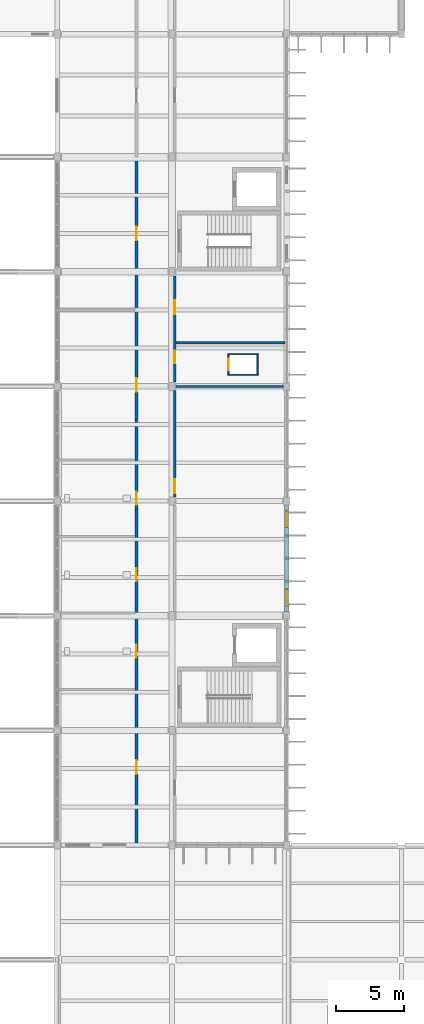
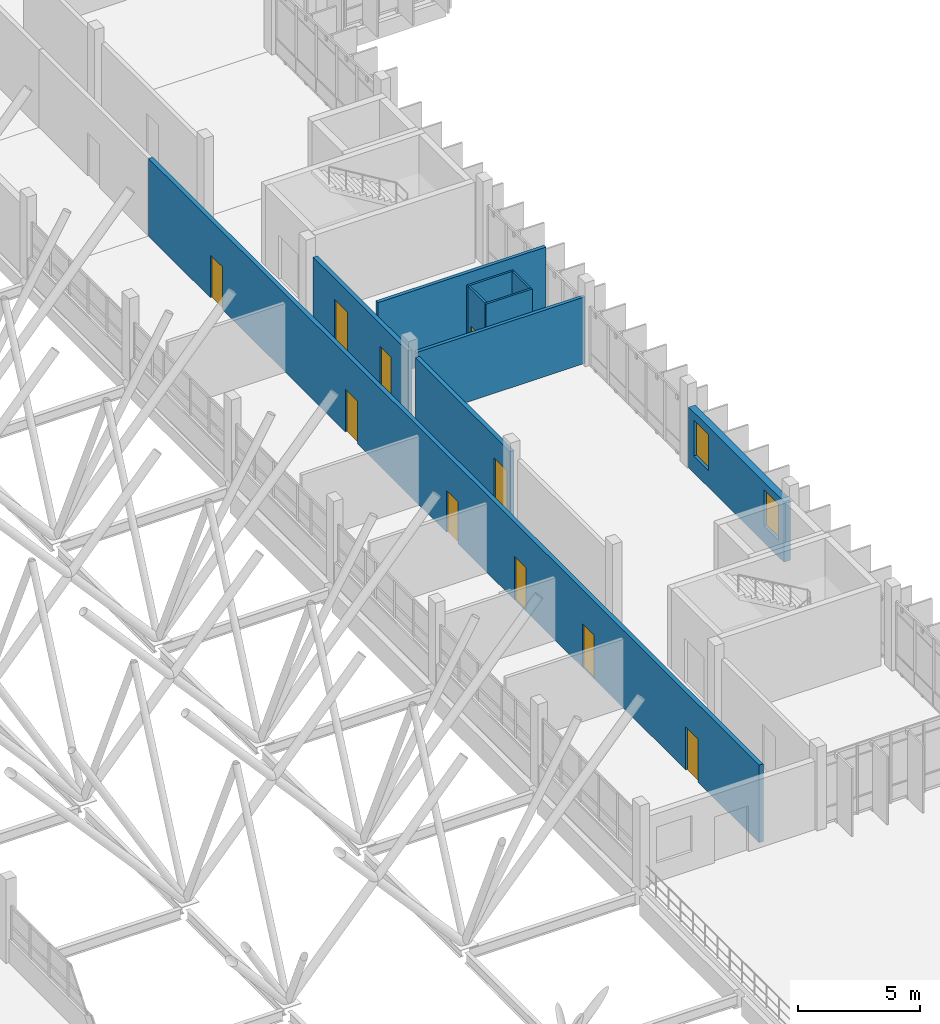
# One storey, part 94 of 107: 10 doors, 10 walls, 2 windows, 12 openings.
"""IFC4 building model written with IfcOpenShell, lengths in metres."""

import ifcopenshell
import ifcopenshell.guid

model = None  # the IFC model being written
_history = None  # IfcOwnerHistory: only IFC2X3 demands one
_inside = {}  # id of a spatial element -> (the spatial element, [elements in it])
_under = {}  # id of a project, library or spatial element -> (it, [spatial elements below it])
_declared = {}  # id of a project -> (the project, [libraries it declares])
_typed = {}  # id of a type object -> (the type object, [elements of that type])
_made_of = {}  # id of a material, layer set ... -> (it, [elements and type objects made of it])


def new_model(schema):
    """Start an empty IFC model of exactly this schema.

    Asked for "IFC4X3", IfcOpenShell would pick the latest addendum, in which some entities
    have other attributes; the version numbers below select the first issue.
    IFC2X3 requires an IfcOwnerHistory on every rooted entity: one is made here for all.
    """
    global model, _history
    if schema == "IFC4X3":
        model = ifcopenshell.file(schema_version=(4, 3, 0, 0))
    else:
        model = ifcopenshell.file(schema=schema)
    _inside.clear()
    _under.clear()
    _declared.clear()
    _typed.clear()
    _made_of.clear()
    _history = None
    if model.schema == "IFC2X3":
        org = make("IfcOrganization", Name="unknown")
        user = make(
            "IfcPersonAndOrganization",
            ThePerson=make("IfcPerson", FamilyName="unknown"),
            TheOrganization=org,
        )
        app = make(
            "IfcApplication",
            ApplicationDeveloper=org,
            Version="unknown",
            ApplicationFullName="unknown",
            ApplicationIdentifier="unknown",
        )
        _history = make(
            "IfcOwnerHistory",
            OwningUser=user,
            OwningApplication=app,
            ChangeAction="ADDED",
            CreationDate=0,
        )
    return model


def make(cls, **values):
    """One entity of the class cls with the attributes given. An attribute that is None is left unset."""
    return model.create_entity(
        cls, **{name: value for name, value in values.items() if value is not None}
    )


def rooted(cls, **values):
    """An entity with a GlobalId (a new one), such as an element, a storey or a relation."""
    return make(cls, GlobalId=ifcopenshell.guid.new(), OwnerHistory=_history, **values)


def si_unit(unit_type, name, prefix=None):
    """IfcSIUnit, for example si_unit("LENGTHUNIT", "METRE", prefix="MILLI")."""
    return make("IfcSIUnit", UnitType=unit_type, Prefix=prefix, Name=name)


def assignment(units):
    """IfcUnitAssignment: the units of a project."""
    return None if units is None else make("IfcUnitAssignment", Units=units)


def point(xyz):
    """IfcCartesianPoint."""
    return None if xyz is None else make("IfcCartesianPoint", Coordinates=xyz)


def direction(xyz):
    """IfcDirection."""
    return None if xyz is None else make("IfcDirection", DirectionRatios=xyz)


def frame(location, z_axis=None, x_axis=None):
    """IfcAxis2Placement3D, a coordinate frame: its origin and axes. An axis left out is left unset."""
    return make(
        "IfcAxis2Placement3D",
        Location=point(location),
        Axis=direction(z_axis),
        RefDirection=direction(x_axis),
    )


def frame_2d(location, x_axis=None):
    """IfcAxis2Placement2D, a coordinate frame in the plane: its origin and x axis."""
    return make(
        "IfcAxis2Placement2D", Location=point(location), RefDirection=direction(x_axis)
    )


def origin():
    """The frame at (0, 0, 0) with its axes left unset."""
    return frame((0.0, 0.0, 0.0))


def place(relative_to, where):
    """IfcLocalPlacement: puts the frame where relative to a parent placement (None: the world)."""
    return make(
        "IfcLocalPlacement", PlacementRelTo=relative_to, RelativePlacement=where
    )


def context(
    kind, dimensions, precision=None, world=None, true_north=None, identifier=None
):
    """IfcGeometricRepresentationContext, for example the 3D "Model" context."""
    return make(
        "IfcGeometricRepresentationContext",
        ContextIdentifier=identifier,
        ContextType=kind,
        CoordinateSpaceDimension=dimensions,
        Precision=precision,
        WorldCoordinateSystem=world,
        TrueNorth=true_north,
    )


def subcontext(parent, identifier, kind, view, scale=None):
    """IfcGeometricRepresentationSubContext, for example "Body" below "Model"."""
    return make(
        "IfcGeometricRepresentationSubContext",
        ContextIdentifier=identifier,
        ContextType=kind,
        ParentContext=parent,
        TargetScale=scale,
        TargetView=view,
    )


def project(units=None, contexts=None):
    """IfcProject with its units and contexts."""
    return rooted(
        "IfcProject",
        Name="project",
        RepresentationContexts=contexts,
        UnitsInContext=assignment(units),
    )


def spatial(cls, under=None, at=None, **own):
    """A site, building, storey or space (cls), placed at a placement, below another one or the project."""
    s = rooted(cls, ObjectPlacement=at, **own)
    if under is not None:
        _under.setdefault(under.id(), (under, []))[1].append(s)
    return s


def profile(cls, at=None, kind="AREA", **sizes):
    """A parametric profile (cls). Its sizes go by their IFC names, for example OverallWidth=200.0."""
    return make(cls, ProfileType=kind, Position=at, **sizes)


def rectangle(**sizes):
    """IfcRectangleProfileDef."""
    return profile("IfcRectangleProfileDef", **sizes)


def extrude(swept, where, along, depth):
    """IfcExtrudedAreaSolid: the profile swept, set in the frame where, extruded along a direction by depth."""
    return make(
        "IfcExtrudedAreaSolid",
        SweptArea=swept,
        Position=where,
        ExtrudedDirection=direction(along),
        Depth=depth,
    )


def shape(context_of_items, identifier, shape_type, items):
    """IfcShapeRepresentation: the items that make up one representation, for example the "Body"."""
    return make(
        "IfcShapeRepresentation",
        ContextOfItems=context_of_items,
        RepresentationIdentifier=identifier,
        RepresentationType=shape_type,
        Items=items,
    )


def material(Name=None, Category=None):
    """IfcMaterial."""
    return make("IfcMaterial", Name=Name, Category=Category)


def layer(
    of_material, thickness, ventilated=None, Name=None, Category=None, Priority=None
):
    """IfcMaterialLayer: one layer of a wall or slab, of a material (None: an air gap)."""
    return make(
        "IfcMaterialLayer",
        Material=of_material,
        LayerThickness=thickness,
        IsVentilated=ventilated,
        Name=Name,
        Category=Category,
        Priority=Priority,
    )


def layer_set(layers, Name=None):
    """IfcMaterialLayerSet."""
    return make("IfcMaterialLayerSet", MaterialLayers=layers, LayerSetName=Name)


def made_of(thing, what):
    """Note that an element or type object is made of a material, layer set ...; save() writes the relation."""
    if what is not None:
        _made_of.setdefault(what.id(), (what, []))[1].append(thing)
    return thing


def type_object(cls, material=None, **own):
    """A type object (cls), such as IfcWallType, which elements share."""
    return made_of(rooted(cls, **own), material)


def element(
    cls,
    number,
    at=None,
    inside=None,
    cuts=None,
    type_object=None,
    material=None,
    context=None,
    identifier="Body",
    shape_type=None,
    held_by="IfcProductDefinitionShape",
    body=None,
    shapes=None,
    **own,
):
    """One element of the class cls, such as IfcWall. Its Tag is "e" and its number.

    at: its placement. inside: the storey or other place that contains it. cuts: it is an
    opening in that element (IfcRelVoidsElement). A single representation is given by context,
    identifier, shape_type and body (its items); several are given by shapes. held_by: the class
    of the entity that holds the representations. save() writes the other relations.
    """
    e = rooted(cls, Tag="e%d" % number, ObjectPlacement=at, **own)
    if body is not None:
        shapes = [shape(context, identifier, shape_type, body)]
    if shapes is not None:
        e.Representation = make(held_by, Representations=shapes)
    if inside is not None:
        _inside.setdefault(inside.id(), (inside, []))[1].append(e)
    if cuts is not None:
        rooted(
            "IfcRelVoidsElement", RelatingBuildingElement=cuts, RelatedOpeningElement=e
        )
    if type_object is not None:
        _typed.setdefault(type_object.id(), (type_object, []))[1].append(e)
    return made_of(e, material)


def fill(opening, filler):
    """IfcRelFillsElement: the door or window that sits in an opening."""
    return rooted(
        "IfcRelFillsElement",
        RelatingOpeningElement=opening,
        RelatedBuildingElement=filler,
    )


def aggregate(whole, parts):
    """IfcRelAggregates: a whole, such as a stair, and the parts it consists of."""
    return rooted("IfcRelAggregates", RelatingObject=whole, RelatedObjects=parts)


def save(model, path):
    """Write the relations noted so far, then the file.

    IfcRelAggregates (storeys below a building ...), IfcRelContainedInSpatialStructure (elements
    in a storey), IfcRelDefinesByType, IfcRelAssociatesMaterial and IfcRelDeclares: one each for
    every whole, place, type object, material and project.
    """
    for whole, parts in _under.values():
        aggregate(whole, parts)
    for where, things in _inside.values():
        rooted(
            "IfcRelContainedInSpatialStructure",
            RelatedElements=things,
            RelatingStructure=where,
        )
    for kind, things in _typed.values():
        rooted("IfcRelDefinesByType", RelatedObjects=things, RelatingType=kind)
    for what, things in _made_of.values():
        rooted("IfcRelAssociatesMaterial", RelatedObjects=things, RelatingMaterial=what)
    for by, libraries in _declared.values():
        rooted("IfcRelDeclares", RelatingContext=by, RelatedDefinitions=libraries)
    model.write(path)


model = new_model("IFC4")

# Units and contexts
model_context = context("Model", 3, precision=1e-05, world=origin(), true_north=direction((0.0, 1.0)))
body_context = subcontext(model_context, "Body", "Model", "MODEL_VIEW")
ifc_project = project(units=[si_unit("LENGTHUNIT", "METRE"), si_unit("AREAUNIT", "SQUARE_METRE"), si_unit("VOLUMEUNIT", "CUBIC_METRE"), si_unit("PLANEANGLEUNIT", "RADIAN"), si_unit("MASSUNIT", "GRAM", prefix="KILO")], contexts=[model_context])

# Site, building, storey
site_placement = place(None, origin())
site = spatial("IfcSite", under=ifc_project, at=site_placement, CompositionType="ELEMENT")
building_placement = place(site_placement, origin())
building = spatial("IfcBuilding", under=site, at=building_placement, Name="Vireocrest Preparatory School", CompositionType="ELEMENT")
storey_placement = place(building_placement, frame((0.0, 0.0, 13.199951171875)))
storey = spatial("IfcBuildingStorey", under=building, at=storey_placement, Name="L03", CompositionType="ELEMENT", Elevation=13.199951171875)

# Wall, openings, doors
ifc_material_1 = material(Name="Gypsum board on cold-formed steel studs", Category="steel")
ifc_layer_1 = layer(ifc_material_1, 0.199951171875)
ifc_layer_set_1 = layer_set([ifc_layer_1], Name="Gypsum board on cold-formed steel studs")
wall_type_1 = type_object("IfcWallType", Name="Corridor One-Hour Fire Partition 200", PredefinedType="PARTITIONING", material=ifc_layer_set_1)
wall_1_placement = place(storey_placement, frame((98.199951171875, 35.56494140625, 0.0), z_axis=(0.0, 0.0, 1.0), x_axis=(0.0, 1.0, 0.0)))
wall_1 = element("IfcWall", 1, at=wall_1_placement, inside=storey, type_object=wall_type_1, Name="Interior Partition W06 IW_L03_0283", PredefinedType="PARTITIONING", context=body_context, shape_type="SweptSolid", body=[
    extrude(rectangle(XDim=50.22509765625, YDim=0.199951171875, at=frame_2d((25.112548828125, 0.0))), origin(), (0.0, 0.0, 1.0), 3.900146484375),
])
opening_1_placement = place(wall_1_placement, frame((5.034912109375, 0.0, 0.0)))
opening_1 = element("IfcOpeningElement", 2, at=opening_1_placement, cuts=wall_1, Name="Opening D-L03-E3W01", PredefinedType="OPENING", context=body_context, shape_type="SweptSolid", body=[
    extrude(rectangle(XDim=1.0, YDim=2.14990234375, at=frame_2d((0.5, 1.074951171875))), frame((0.0, 0.10986328125, 0.0), z_axis=(0.0, -1.0, 0.0), x_axis=(1.0, 0.0, 0.0)), (0.0, 0.0, 1.0), 0.219970703125),
])
opening_2_placement = place(wall_1_placement, frame((13.56005859375, 0.0, 0.0)))
opening_2 = element("IfcOpeningElement", 3, at=opening_2_placement, cuts=wall_1, Name="Opening D-L03-E3W02", PredefinedType="OPENING", context=body_context, shape_type="SweptSolid", body=[
    extrude(rectangle(XDim=0.949951171875, YDim=2.199951171875, at=frame_2d((0.47509765625, 1.10009765625))), frame((0.0, 0.10986328125, 0.0), z_axis=(0.0, -1.0, 0.0), x_axis=(1.0, 0.0, 0.0)), (0.0, 0.0, 1.0), 0.219970703125),
])
opening_3_placement = place(wall_1_placement, frame((19.159912109375, 0.0, 0.0)))
opening_3 = element("IfcOpeningElement", 4, at=opening_3_placement, cuts=wall_1, Name="Opening D-L03-E3W03", PredefinedType="OPENING", context=body_context, shape_type="SweptSolid", body=[
    extrude(rectangle(XDim=0.949951171875, YDim=2.199951171875, at=frame_2d((0.47509765625, 1.10009765625))), frame((0.0, 0.10986328125, 0.0), z_axis=(0.0, -1.0, 0.0), x_axis=(1.0, 0.0, 0.0)), (0.0, 0.0, 1.0), 0.219970703125),
])
opening_4_placement = place(wall_1_placement, frame((24.760009765625, 0.0, 0.0)))
opening_4 = element("IfcOpeningElement", 5, at=opening_4_placement, cuts=wall_1, Name="Opening D-L03-E3W04", PredefinedType="OPENING", context=body_context, shape_type="SweptSolid", body=[
    extrude(rectangle(XDim=0.949951171875, YDim=2.10009765625, at=frame_2d((0.47509765625, 1.050048828125))), frame((0.0, 0.10986328125, 0.0), z_axis=(0.0, -1.0, 0.0), x_axis=(1.0, 0.0, 0.0)), (0.0, 0.0, 1.0), 0.219970703125),
])
opening_5_placement = place(wall_1_placement, frame((33.034912109375, 0.0, 0.0)))
opening_5 = element("IfcOpeningElement", 6, at=opening_5_placement, cuts=wall_1, Name="Opening D-L03-E3W05", PredefinedType="OPENING", context=body_context, shape_type="SweptSolid", body=[
    extrude(rectangle(XDim=1.0, YDim=2.14990234375, at=frame_2d((0.5, 1.074951171875))), frame((0.0, 0.10986328125, 0.0), z_axis=(0.0, -1.0, 0.0), x_axis=(1.0, 0.0, 0.0)), (0.0, 0.0, 1.0), 0.219970703125),
])
opening_6_placement = place(wall_1_placement, frame((44.135009765625, 0.0, 0.0)))
opening_6 = element("IfcOpeningElement", 7, at=opening_6_placement, cuts=wall_1, Name="Opening D-L03-E3W06", PredefinedType="OPENING", context=body_context, shape_type="SweptSolid", body=[
    extrude(rectangle(XDim=1.0, YDim=2.14990234375, at=frame_2d((0.5, 1.074951171875))), frame((0.0, 0.10986328125, 0.0), z_axis=(0.0, -1.0, 0.0), x_axis=(1.0, 0.0, 0.0)), (0.0, 0.0, 1.0), 0.219970703125),
])
ifc_material_2 = material(Name="Solid-core architectural birch timber", Category="wood")
door_type_1 = type_object("IfcDoorType", Name="Accessible WC Timber Door 950x2100", OperationType="NOTDEFINED", PredefinedType="DOOR", material=ifc_material_2)
door_1_placement = place(opening_4_placement, origin())
door_1 = element("IfcDoor", 8, at=door_1_placement, inside=storey, type_object=door_type_1, Name="Interior Door D-L03-E3W04", OperationType="SINGLE_SWING_LEFT", OverallHeight=2.10009765625, OverallWidth=0.949951171875, PredefinedType="DOOR", context=body_context, shape_type="SweptSolid", body=[
    extrude(rectangle(XDim=0.949951171875, YDim=2.10009765625, at=frame_2d((0.47509765625, 1.050048828125))), frame((0.0, 0.02490234375, 0.0), z_axis=(0.0, -1.0, 0.0), x_axis=(1.0, 0.0, 0.0)), (0.0, 0.0, 1.0), 0.050048828125),
])
fill(opening_4, door_1)
door_type_2 = type_object("IfcDoorType", Name="Classroom Acoustic Timber Door 1000x2150", OperationType="NOTDEFINED", PredefinedType="DOOR", material=ifc_material_2)
door_2_placement = place(opening_1_placement, origin())
door_2 = element("IfcDoor", 9, at=door_2_placement, inside=storey, type_object=door_type_2, Name="Interior Door D-L03-E3W01", OperationType="SINGLE_SWING_RIGHT", OverallHeight=2.14990234375, OverallWidth=1.0, PredefinedType="DOOR", context=body_context, shape_type="SweptSolid", body=[
    extrude(rectangle(XDim=1.0, YDim=2.14990234375, at=frame_2d((0.5, 1.074951171875))), frame((0.0, 0.02490234375, 0.0), z_axis=(0.0, -1.0, 0.0), x_axis=(1.0, 0.0, 0.0)), (0.0, 0.0, 1.0), 0.050048828125),
])
fill(opening_1, door_2)
door_3_placement = place(opening_5_placement, origin())
door_3 = element("IfcDoor", 10, at=door_3_placement, inside=storey, type_object=door_type_2, Name="Interior Door D-L03-E3W05", OperationType="SINGLE_SWING_RIGHT", OverallHeight=2.14990234375, OverallWidth=1.0, PredefinedType="DOOR", context=body_context, shape_type="SweptSolid", body=[
    extrude(rectangle(XDim=1.0, YDim=2.14990234375, at=frame_2d((0.5, 1.074951171875))), frame((0.0, 0.02490234375, 0.0), z_axis=(0.0, -1.0, 0.0), x_axis=(1.0, 0.0, 0.0)), (0.0, 0.0, 1.0), 0.050048828125),
])
fill(opening_5, door_3)
door_4_placement = place(opening_6_placement, origin())
door_4 = element("IfcDoor", 11, at=door_4_placement, inside=storey, type_object=door_type_2, Name="Interior Door D-L03-E3W06", OperationType="SINGLE_SWING_LEFT", OverallHeight=2.14990234375, OverallWidth=1.0, PredefinedType="DOOR", context=body_context, shape_type="SweptSolid", body=[
    extrude(rectangle(XDim=1.0, YDim=2.14990234375, at=frame_2d((0.5, 1.074951171875))), frame((0.0, 0.02490234375, 0.0), z_axis=(0.0, -1.0, 0.0), x_axis=(1.0, 0.0, 0.0)), (0.0, 0.0, 1.0), 0.050048828125),
])
fill(opening_6, door_4)
door_type_3 = type_object("IfcDoorType", Name="Student Washroom Door 950x2200", OperationType="NOTDEFINED", PredefinedType="DOOR", material=ifc_material_2)
door_5_placement = place(opening_2_placement, origin())
door_5 = element("IfcDoor", 12, at=door_5_placement, inside=storey, type_object=door_type_3, Name="Interior Door D-L03-E3W02", OperationType="SINGLE_SWING_LEFT", OverallHeight=2.199951171875, OverallWidth=0.949951171875, PredefinedType="DOOR", context=body_context, shape_type="SweptSolid", body=[
    extrude(rectangle(XDim=0.949951171875, YDim=2.199951171875, at=frame_2d((0.47509765625, 1.10009765625))), frame((0.0, 0.02490234375, 0.0), z_axis=(0.0, -1.0, 0.0), x_axis=(1.0, 0.0, 0.0)), (0.0, 0.0, 1.0), 0.050048828125),
])
fill(opening_2, door_5)
door_6_placement = place(opening_3_placement, origin())
door_6 = element("IfcDoor", 13, at=door_6_placement, inside=storey, type_object=door_type_3, Name="Interior Door D-L03-E3W03", OperationType="SINGLE_SWING_RIGHT", OverallHeight=2.199951171875, OverallWidth=0.949951171875, PredefinedType="DOOR", context=body_context, shape_type="SweptSolid", body=[
    extrude(rectangle(XDim=0.949951171875, YDim=2.199951171875, at=frame_2d((0.47509765625, 1.10009765625))), frame((0.0, 0.02490234375, 0.0), z_axis=(0.0, -1.0, 0.0), x_axis=(1.0, 0.0, 0.0)), (0.0, 0.0, 1.0), 0.050048828125),
])
fill(opening_3, door_6)

# Wall, opening, door
wall_2_placement = place(storey_placement, frame((101.0, 60.909912109375, 0.0), z_axis=(0.0, 0.0, 1.0), x_axis=(0.0, 1.0, 0.0)))
wall_2 = element("IfcWall", 14, at=wall_2_placement, inside=storey, type_object=wall_type_1, Name="Interior Partition W06 IW_L03_0288", PredefinedType="PARTITIONING", context=body_context, shape_type="SweptSolid", body=[
    extrude(rectangle(XDim=7.780029296875, YDim=0.199951171875, at=frame_2d((3.89013671875, 0.0))), origin(), (0.0, 0.0, 1.0), 3.2900390625),
])
opening_7_placement = place(wall_2_placement, frame((0.25, 0.0, 0.0)))
opening_7 = element("IfcOpeningElement", 15, at=opening_7_placement, cuts=wall_2, Name="Opening D-L03-E3EN01", PredefinedType="OPENING", context=body_context, shape_type="SweptSolid", body=[
    extrude(rectangle(XDim=1.050048828125, YDim=2.199951171875, at=frame_2d((0.52490234375, 1.10009765625))), frame((0.0, 0.10986328125, 0.0), z_axis=(0.0, -1.0, 0.0), x_axis=(1.0, 0.0, 0.0)), (0.0, 0.0, 1.0), 0.219970703125),
])
ifc_material_3 = material(Name="Painted galvanized hollow steel", Category="steel")
door_type_4 = type_object("IfcDoorType", Name="Laboratory Fire Door 1050x2200", OperationType="NOTDEFINED", PredefinedType="DOOR", material=ifc_material_3)
door_7_placement = place(opening_7_placement, origin())
door_7 = element("IfcDoor", 16, at=door_7_placement, inside=storey, type_object=door_type_4, Name="Interior Door D-L03-E3EN01", OperationType="SINGLE_SWING_LEFT", OverallHeight=2.199951171875, OverallWidth=1.050048828125, PredefinedType="DOOR", context=body_context, shape_type="SweptSolid", body=[
    extrude(rectangle(XDim=1.050048828125, YDim=2.199951171875, at=frame_2d((0.52490234375, 1.10009765625))), frame((0.0, 0.02490234375, 0.0), z_axis=(0.0, -1.0, 0.0), x_axis=(1.0, 0.0, 0.0)), (0.0, 0.0, 1.0), 0.050048828125),
])
fill(opening_7, door_7)

# Wall, openings, doors
wall_3_placement = place(storey_placement, frame((101.0, 69.31005859375, 0.0), z_axis=(0.0, 0.0, 1.0), x_axis=(0.0, 1.0, 0.0)))
wall_3 = element("IfcWall", 17, at=wall_3_placement, inside=storey, type_object=wall_type_1, Name="Interior Partition W06 IW_L03_0289", PredefinedType="PARTITIONING", context=body_context, shape_type="SweptSolid", body=[
    extrude(rectangle(XDim=7.780029296875, YDim=0.199951171875, at=frame_2d((3.89013671875, 0.0))), origin(), (0.0, 0.0, 1.0), 3.239990234375),
])
opening_8_placement = place(wall_3_placement, frame((1.389892578125, 0.0, 0.0)))
opening_8 = element("IfcOpeningElement", 18, at=opening_8_placement, cuts=wall_3, Name="Opening D-L03-E3EN02", PredefinedType="OPENING", context=body_context, shape_type="SweptSolid", body=[
    extrude(rectangle(XDim=0.89990234375, YDim=2.10009765625, at=frame_2d((0.449951171875, 1.050048828125))), frame((0.0, 0.10986328125, 0.0), z_axis=(0.0, -1.0, 0.0), x_axis=(1.0, 0.0, 0.0)), (0.0, 0.0, 1.0), 0.219970703125),
])
opening_9_placement = place(wall_3_placement, frame((4.965087890625, 0.0, 0.0)))
opening_9 = element("IfcOpeningElement", 19, at=opening_9_placement, cuts=wall_3, Name="Opening D-L03-E3EN03", PredefinedType="OPENING", context=body_context, shape_type="SweptSolid", body=[
    extrude(rectangle(XDim=1.050048828125, YDim=2.199951171875, at=frame_2d((0.52490234375, 1.10009765625))), frame((0.0, 0.10986328125, 0.0), z_axis=(0.0, -1.0, 0.0), x_axis=(1.0, 0.0, 0.0)), (0.0, 0.0, 1.0), 0.219970703125),
])
door_8_placement = place(opening_9_placement, origin())
door_8 = element("IfcDoor", 20, at=door_8_placement, inside=storey, type_object=door_type_4, Name="Interior Door D-L03-E3EN03", OperationType="SINGLE_SWING_LEFT", OverallHeight=2.199951171875, OverallWidth=1.050048828125, PredefinedType="DOOR", context=body_context, shape_type="SweptSolid", body=[
    extrude(rectangle(XDim=1.050048828125, YDim=2.199951171875, at=frame_2d((0.52490234375, 1.10009765625))), frame((0.0, 0.02490234375, 0.0), z_axis=(0.0, -1.0, 0.0), x_axis=(1.0, 0.0, 0.0)), (0.0, 0.0, 1.0), 0.050048828125),
])
fill(opening_9, door_8)
door_type_5 = type_object("IfcDoorType", Name="Office Timber Door 900x2100", OperationType="NOTDEFINED", PredefinedType="DOOR", material=ifc_material_2)
door_9_placement = place(opening_8_placement, origin())
door_9 = element("IfcDoor", 21, at=door_9_placement, inside=storey, type_object=door_type_5, Name="Interior Door D-L03-E3EN02", OperationType="SINGLE_SWING_RIGHT", OverallHeight=2.10009765625, OverallWidth=0.89990234375, PredefinedType="DOOR", context=body_context, shape_type="SweptSolid", body=[
    extrude(rectangle(XDim=0.89990234375, YDim=2.10009765625, at=frame_2d((0.449951171875, 1.050048828125))), frame((0.0, 0.02490234375, 0.0), z_axis=(0.0, -1.0, 0.0), x_axis=(1.0, 0.0, 0.0)), (0.0, 0.0, 1.0), 0.050048828125),
])
fill(opening_8, door_9)

# Wall, openings, windows
ifc_material_4 = material(Name="Precast white concrete 40 MPa", Category="concrete")
ifc_layer_2 = layer(ifc_material_4, 0.320068359375)
ifc_layer_set_2 = layer_set([ifc_layer_2], Name="Precast white concrete 40 MPa")
wall_type_2 = type_object("IfcWallType", Name="High-Tech Insulated Rainscreen External Wall 320", PredefinedType="SOLIDWALL", material=ifc_layer_set_2)
wall_4_placement = place(storey_placement, frame((109.199951171875, 52.47509765625, 0.0), z_axis=(0.0, 0.0, 1.0), x_axis=(0.0, 1.0, 0.0)))
wall_4 = element("IfcWall", 22, at=wall_4_placement, inside=storey, type_object=wall_type_2, Name="External Wall W12 EW_L03_0351", PredefinedType="SOLIDWALL", context=body_context, shape_type="SweptSolid", body=[
    extrude(rectangle(XDim=7.849853515625, YDim=0.320068359375, at=frame_2d((3.9248046875, 0.0))), origin(), (0.0, 0.0, 1.0), 3.0400390625),
])
opening_10_placement = place(wall_4_placement, frame((0.449951171875, 0.0, 0.85009765625)))
opening_10 = element("IfcOpeningElement", 23, at=opening_10_placement, cuts=wall_4, Name="Opening WN02", PredefinedType="OPENING", context=body_context, shape_type="SweptSolid", body=[
    extrude(rectangle(XDim=1.199951171875, YDim=1.800048828125, at=frame_2d((0.60009765625, 0.89990234375))), frame((0.0, 0.169921875, 0.0), z_axis=(0.0, -1.0, 0.0), x_axis=(1.0, 0.0, 0.0)), (0.0, 0.0, 1.0), 0.340087890625),
])
opening_11_placement = place(wall_4_placement, frame((6.199951171875, 0.0, 0.85009765625)))
opening_11 = element("IfcOpeningElement", 24, at=opening_11_placement, cuts=wall_4, Name="Opening WN02", PredefinedType="OPENING", context=body_context, shape_type="SweptSolid", body=[
    extrude(rectangle(XDim=1.199951171875, YDim=1.800048828125, at=frame_2d((0.60009765625, 0.89990234375))), frame((0.0, 0.169921875, 0.0), z_axis=(0.0, -1.0, 0.0), x_axis=(1.0, 0.0, 0.0)), (0.0, 0.0, 1.0), 0.340087890625),
])
ifc_material_5 = material(Name="Thermally broken aluminium EN AW-6063-T6", Category="aluminium")
window_type = type_object("IfcWindowType", Name="Counseling Window 1200x1800", PartitioningType="SINGLE_PANEL", PredefinedType="WINDOW", material=ifc_material_5)
window_1_placement = place(opening_10_placement, origin())
window_1 = element("IfcWindow", 25, at=window_1_placement, inside=storey, type_object=window_type, Name="Window W-L03-174 (WN02)", OverallHeight=1.800048828125, OverallWidth=1.199951171875, PartitioningType="SINGLE_PANEL", PredefinedType="WINDOW", context=body_context, shape_type="SweptSolid", body=[
    extrude(rectangle(XDim=1.199951171875, YDim=1.800048828125, at=frame_2d((0.60009765625, 0.89990234375))), frame((0.0, 0.030029296875, 0.0), z_axis=(0.0, -1.0, 0.0), x_axis=(1.0, 0.0, 0.0)), (0.0, 0.0, 1.0), 0.06005859375),
])
fill(opening_10, window_1)
window_2_placement = place(opening_11_placement, origin())
window_2 = element("IfcWindow", 26, at=window_2_placement, inside=storey, type_object=window_type, Name="Window W-L03-175 (WN02)", OverallHeight=1.800048828125, OverallWidth=1.199951171875, PartitioningType="SINGLE_PANEL", PredefinedType="WINDOW", context=body_context, shape_type="SweptSolid", body=[
    extrude(rectangle(XDim=1.199951171875, YDim=1.800048828125, at=frame_2d((0.60009765625, 0.89990234375))), frame((0.0, 0.030029296875, 0.0), z_axis=(0.0, -1.0, 0.0), x_axis=(1.0, 0.0, 0.0)), (0.0, 0.0, 1.0), 0.06005859375),
])
fill(opening_11, window_2)

# Walls
ifc_layer_3 = layer(ifc_material_1, 0.159912109375)
ifc_layer_set_3 = layer_set([ifc_layer_3], Name="Gypsum board on cold-formed steel studs")
wall_type_3 = type_object("IfcWallType", Name="Laboratory Wet-Service Partition Wall 160", PredefinedType="PARTITIONING", material=ifc_layer_set_3)
wall_5_placement = place(storey_placement, frame((101.10498046875, 69.0, 0.0), z_axis=(0.0, 0.0, 1.0), x_axis=(1.0, 0.0, 0.0)))
element("IfcWall", 27, at=wall_5_placement, inside=storey, type_object=wall_type_3, Name="Interior Partition W04 IW_L03_0285", PredefinedType="PARTITIONING", context=body_context, shape_type="SweptSolid", body=[
    extrude(rectangle(XDim=7.989990234375, YDim=0.159912109375, at=frame_2d((3.9951171875, 0.0))), origin(), (0.0, 0.0, 1.0), 3.340087890625),
])
wall_6_placement = place(storey_placement, frame((101.10498046875, 72.199951171875, 0.0), z_axis=(0.0, 0.0, 1.0), x_axis=(1.0, 0.0, 0.0)))
element("IfcWall", 28, at=wall_6_placement, inside=storey, type_object=wall_type_3, Name="Interior Partition W04 IW_L03_0286", PredefinedType="PARTITIONING", context=body_context, shape_type="SweptSolid", body=[
    extrude(rectangle(XDim=7.989990234375, YDim=0.159912109375, at=frame_2d((3.9951171875, 0.0))), origin(), (0.0, 0.0, 1.0), 3.900146484375),
])
ifc_layer_4 = layer(ifc_material_1, 0.10009765625)
ifc_layer_set_4 = layer_set([ifc_layer_4], Name="Gypsum board on cold-formed steel studs")
wall_type_4 = type_object("IfcWallType", Name="Riser Shaft Lining Wall 100", PredefinedType="PARTITIONING", material=ifc_layer_set_4)
for number, where, z_axis, x_axis, name in (
    (29, (104.89990234375, 69.85009765625, 0.0), (0.0, 0.0, 1.0), (1.0, 0.0, 0.0), "MEP Riser Shaft Wall W01 EAST_MEP-L03-S"),
    (30, (104.89990234375, 71.35009765625, 0.0), (0.0, 0.0, 1.0), (1.0, 0.0, 0.0), "MEP Riser Shaft Wall W01 EAST_MEP-L03-N"),
):
    element("IfcWall", number, at=place(storey_placement, frame(where, z_axis=z_axis, x_axis=x_axis)), inside=storey, type_object=wall_type_4, Name=name, PredefinedType="PARTITIONING", context=body_context, shape_type="SweptSolid", body=[
        extrude(rectangle(XDim=2.2001953125, YDim=0.10009765625, at=frame_2d((1.10009765625, 0.0))), origin(), (0.0, 0.0, 1.0), 3.900146484375),
    ])

# Wall, opening, door
wall_7_placement = place(storey_placement, frame((104.949951171875, 69.89990234375, 0.0), z_axis=(0.0, 0.0, 1.0), x_axis=(0.0, 1.0, 0.0)))
wall_7 = element("IfcWall", 31, at=wall_7_placement, inside=storey, type_object=wall_type_4, Name="MEP Riser Shaft Wall W01 EAST_MEP-L03-W", PredefinedType="PARTITIONING", context=body_context, shape_type="SweptSolid", body=[
    extrude(rectangle(XDim=1.400146484375, YDim=0.10009765625, at=frame_2d((0.7001953125, 0.0))), origin(), (0.0, 0.0, 1.0), 3.900146484375),
])
opening_12_placement = place(wall_7_placement, frame((0.27490234375, 0.0, 0.0)))
opening_12 = element("IfcOpeningElement", 32, at=opening_12_placement, cuts=wall_7, Name="Opening D-L03-RSE", PredefinedType="OPENING", context=body_context, shape_type="SweptSolid", body=[
    extrude(rectangle(XDim=0.85009765625, YDim=2.050048828125, at=frame_2d((0.425048828125, 1.02490234375))), frame((0.0, 0.06005859375, 0.0), z_axis=(0.0, -1.0, 0.0), x_axis=(1.0, 0.0, 0.0)), (0.0, 0.0, 1.0), 0.1201171875),
])
door_type_6 = type_object("IfcDoorType", Name="Riser Access Steel Door 850x2050", OperationType="NOTDEFINED", PredefinedType="DOOR", material=ifc_material_3)
door_10_placement = place(opening_12_placement, origin())
door_10 = element("IfcDoor", 33, at=door_10_placement, inside=storey, type_object=door_type_6, Name="Riser Shaft Access Door D-L03-RSE", OperationType="SINGLE_SWING_RIGHT", OverallHeight=2.050048828125, OverallWidth=0.85009765625, PredefinedType="DOOR", context=body_context, shape_type="SweptSolid", body=[
    extrude(rectangle(XDim=0.85009765625, YDim=2.050048828125, at=frame_2d((0.425048828125, 1.02490234375))), frame((0.0, 0.02490234375, 0.0), z_axis=(0.0, -1.0, 0.0), x_axis=(1.0, 0.0, 0.0)), (0.0, 0.0, 1.0), 0.050048828125),
])
fill(opening_12, door_10)

# Wall
wall_8_placement = place(storey_placement, frame((107.050048828125, 69.89990234375, 0.0), z_axis=(0.0, 0.0, 1.0), x_axis=(0.0, 1.0, 0.0)))
element("IfcWall", 34, at=wall_8_placement, inside=storey, type_object=wall_type_4, Name="MEP Riser Shaft Wall W01 EAST_MEP-L03-E", PredefinedType="PARTITIONING", context=body_context, shape_type="SweptSolid", body=[
    extrude(rectangle(XDim=1.400146484375, YDim=0.10009765625, at=frame_2d((0.7001953125, 0.0))), origin(), (0.0, 0.0, 1.0), 3.900146484375),
])

save(model, "model.ifc")
